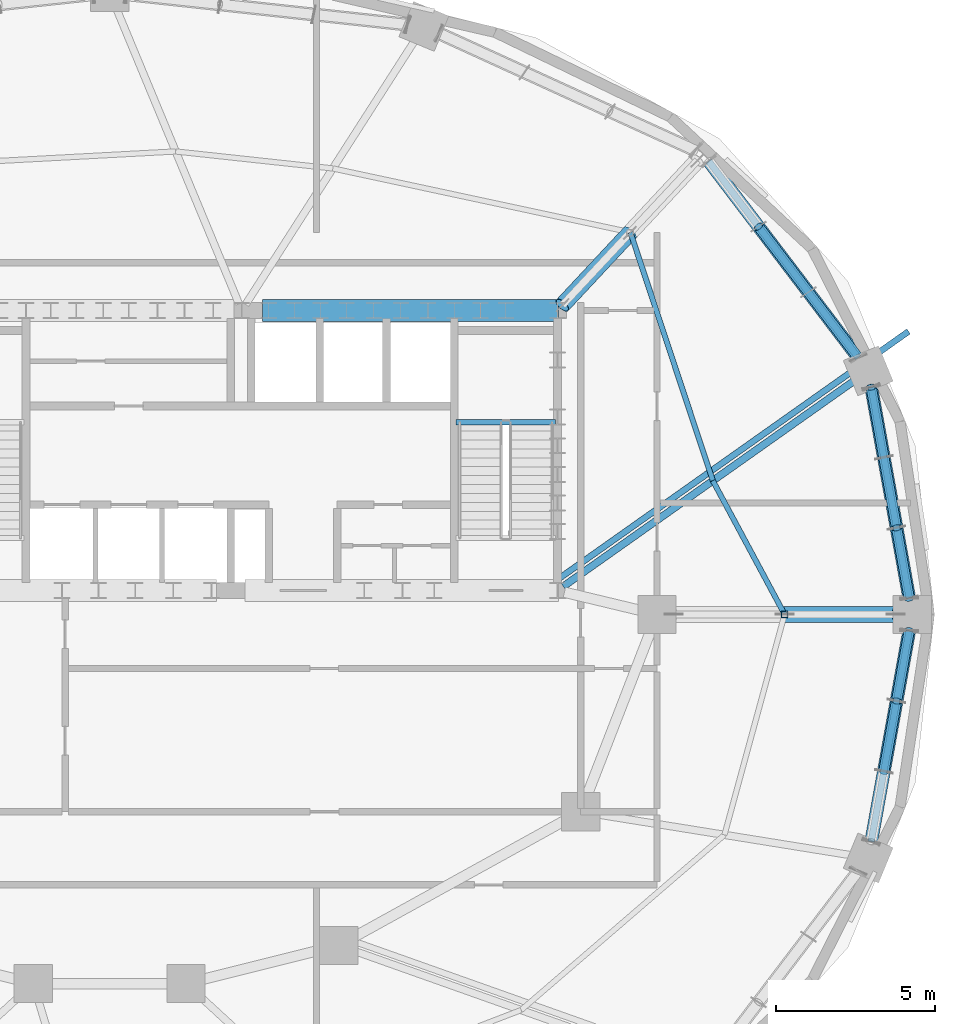
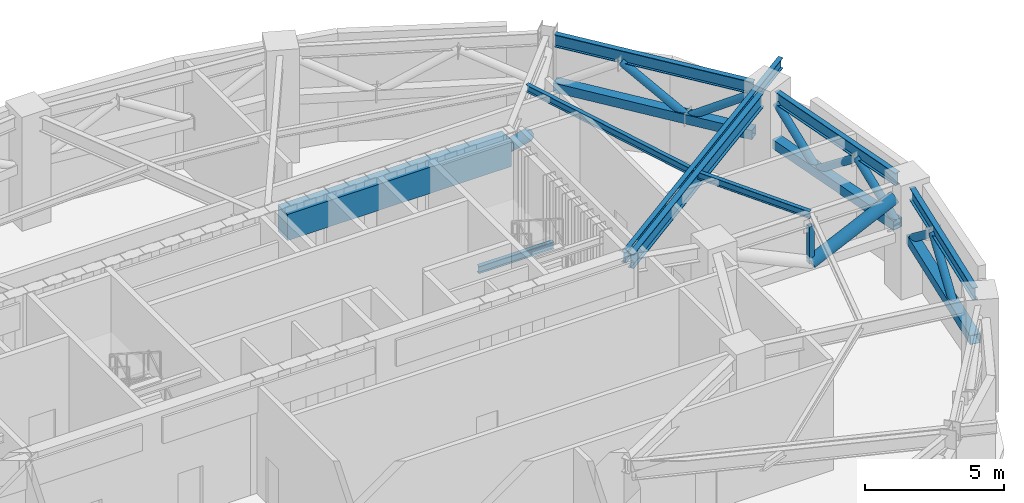
# One storey, part 4 of 17: 13 members, 9 beams.
"""IFC4 building model written with IfcOpenShell, lengths in metres."""

from ifc_helpers import new_model, si_unit, direction, frame, origin, origin_2d, place, context, subcontext, project, spatial, rectangle, hollow_rectangle, hollow_circle, i_section, extrude, material, material_profile, profile_set, type_object, element, save


model = new_model("IFC4")

# Units and contexts
model_context = context("Model", 3, precision=1e-05, world=origin(), true_north=direction((0.0, 1.0)))
body_context = subcontext(model_context, "Body", "Model", "MODEL_VIEW")
ifc_project = project(units=[si_unit("LENGTHUNIT", "METRE"), si_unit("AREAUNIT", "SQUARE_METRE"), si_unit("VOLUMEUNIT", "CUBIC_METRE"), si_unit("PLANEANGLEUNIT", "RADIAN"), si_unit("MASSUNIT", "GRAM", prefix="KILO")], contexts=[model_context])

# Site, building, storey
site_placement = place(None, origin())
site = spatial("IfcSite", under=ifc_project, at=site_placement, CompositionType="ELEMENT")
building_placement = place(site_placement, origin())
building = spatial("IfcBuilding", under=site, at=building_placement, Name="Haldorwick Loom Tower", CompositionType="ELEMENT")
storey_placement = place(building_placement, frame((0.0, 0.0, 149.449951171875)))
storey = spatial("IfcBuildingStorey", under=building, at=storey_placement, Name="L40", CompositionType="ELEMENT", Elevation=149.449951171875)

# Beams
ifc_material_1 = material(Name="Steel CSA G40.21 350W", Category="steel")
ifc_material_profile_1 = material_profile(ifc_material_1, i_section(OverallWidth=0.193115234375, OverallDepth=0.466064453125, WebThickness=0.011474609375, FlangeThickness=0.01904296875, at=origin_2d()), Name="W460X97", Category="steel")
ifc_profile_set_1 = profile_set([ifc_material_profile_1], Name="Steel CSA G40.21 350W")
beam_type_1 = type_object("IfcBeamType", Name="STR-BM-BAL460", PredefinedType="BEAM", material=ifc_profile_set_1)
beam_1_placement = place(storey_placement, frame((50.092041015625, 27.1083984375, 4.527099609375), z_axis=(0.816570288691, 0.577246016554, 0.0), x_axis=(-0.577246016554, 0.816570288691, 0.0)))
element("IfcBeam", 1, at=beam_1_placement, inside=storey, type_object=beam_type_1, Name="L40 Continuous Back-Spanned Balcony Beam 4", PredefinedType="BEAM", context=body_context, shape_type="SweptSolid", body=[
    extrude(i_section(OverallWidth=0.193115234375, OverallDepth=0.466064453125, WebThickness=0.011474609375, FlangeThickness=0.01904296875, at=origin_2d()), origin(), (0.0, 0.0, 1.0), 13.485107421875),
])
ifc_material_2 = material(Name="Concrete C60 (60 MPa)", Category="concrete")
ifc_material_profile_2 = material_profile(ifc_material_2, rectangle(XDim=0.699951171875, YDim=1.14990234375, at=origin_2d()), Name="RC700X1150", Category="concrete")
ifc_profile_set_2 = profile_set([ifc_material_profile_2], Name="Concrete C60 (60 MPa)")
beam_type_2 = type_object("IfcBeamType", Name="STR-BM-CB1150", PredefinedType="LINTEL", material=ifc_profile_set_2)
beam_2_placement = place(storey_placement, frame((40.800048828125, 35.550048828125, 4.18505859375), z_axis=(1.0, 0.0, 0.0), x_axis=(0.0, 1.0, 0.0)))
element("IfcBeam", 2, at=beam_2_placement, inside=storey, type_object=beam_type_2, Name="L40 Core Coupling Beam CB-N3", PredefinedType="LINTEL", context=body_context, shape_type="SweptSolid", body=[
    extrude(rectangle(XDim=0.699951171875, YDim=1.14990234375, at=origin_2d()), origin(), (0.0, 0.0, 1.0), 9.300048828125),
])
ifc_material_profile_3 = material_profile(ifc_material_1, i_section(OverallWidth=0.166015625, OverallDepth=0.31298828125, WebThickness=0.006591796875, FlangeThickness=0.01123046875, at=origin_2d()), Name="W310X45", Category="steel")
ifc_profile_set_3 = profile_set([ifc_material_profile_3], Name="Steel CSA G40.21 350W")
beam_type_3 = type_object("IfcBeamType", Name="STR-BM-J310", PredefinedType="JOIST", material=ifc_profile_set_3)
beam_3_placement = place(storey_placement, frame((57.20849609375, 26.0, 4.603515625), z_axis=(-0.472930162238, 0.881099915813, 0.0), x_axis=(-0.881099915813, -0.472930162238, 0.0)))
element("IfcBeam", 3, at=beam_3_placement, inside=storey, type_object=beam_type_3, Name="L40 Mid-Bay Secondary Joist 1", PredefinedType="JOIST", context=body_context, shape_type="SweptSolid", body=[
    extrude(i_section(OverallWidth=0.166015625, OverallDepth=0.31298828125, WebThickness=0.006591796875, FlangeThickness=0.01123046875, at=origin_2d()), origin(), (0.0, 0.0, 1.0), 4.76904296875),
])
beam_4_placement = place(storey_placement, frame((54.953125, 30.201904296875, 4.603515625), z_axis=(-0.314980632705, 0.949098098734, 0.0), x_axis=(-0.949098098734, -0.314980632705, 0.0)))
element("IfcBeam", 4, at=beam_4_placement, inside=storey, type_object=beam_type_3, Name="L40 Mid-Bay Secondary Joist 2", PredefinedType="JOIST", context=body_context, shape_type="SweptSolid", body=[
    extrude(i_section(OverallWidth=0.166015625, OverallDepth=0.31298828125, WebThickness=0.006591796875, FlangeThickness=0.01123046875, at=origin_2d()), origin(), (0.0, 0.0, 1.0), 8.223876953125),
])
ifc_material_profile_4 = material_profile(ifc_material_1, i_section(OverallWidth=0.2119140625, OverallDepth=0.5439453125, WebThickness=0.01318359375, FlangeThickness=0.021240234375, at=origin_2d()), Name="W530X123", Category="steel")
ifc_profile_set_4 = profile_set([ifc_material_profile_4], Name="Steel CSA G40.21 350W")
beam_type_4 = type_object("IfcBeamType", Name="STR-BM-SP530", PredefinedType="SPANDREL", material=ifc_profile_set_4)
beam_5_placement = place(storey_placement, frame((61.124755859375, 26.51171875, 4.488037109375), z_axis=(-0.177558730702, 0.984110205796, 0.0), x_axis=(-0.984110205796, -0.177558730702, 0.0)))
element("IfcBeam", 5, at=beam_5_placement, inside=storey, type_object=beam_type_4, Name="L40 Perimeter Spandrel 1", PredefinedType="SPANDREL", context=body_context, shape_type="SweptSolid", body=[
    extrude(i_section(OverallWidth=0.2119140625, OverallDepth=0.5439453125, WebThickness=0.01318359375, FlangeThickness=0.021240234375, at=origin_2d()), origin(), (0.0, 0.0, 1.0), 6.737548828125),
])
beam_6_placement = place(storey_placement, frame((59.521240234375, 34.067626953125, 4.488037109375), z_axis=(-0.605421356486, 0.795905133236, 0.0), x_axis=(-0.795905133236, -0.605421356486, 0.0)))
element("IfcBeam", 6, at=beam_6_placement, inside=storey, type_object=beam_type_4, Name="L40 Perimeter Spandrel 2", PredefinedType="SPANDREL", context=body_context, shape_type="SweptSolid", body=[
    extrude(i_section(OverallWidth=0.2119140625, OverallDepth=0.5439453125, WebThickness=0.01318359375, FlangeThickness=0.021240234375, at=origin_2d()), origin(), (0.0, 0.0, 1.0), 7.761962890625),
])
beam_7_placement = place(storey_placement, frame((59.928466796875, 18.85791015625, 4.488037109375), z_axis=(0.177558730702, 0.984110205796, 0.0), x_axis=(-0.984110205796, 0.177558730702, 0.0)))
element("IfcBeam", 7, at=beam_7_placement, inside=storey, type_object=beam_type_4, Name="L40 Perimeter Spandrel 16", PredefinedType="SPANDREL", context=body_context, shape_type="SweptSolid", body=[
    extrude(i_section(OverallWidth=0.2119140625, OverallDepth=0.5439453125, WebThickness=0.01318359375, FlangeThickness=0.021240234375, at=origin_2d()), origin(), (0.0, 0.0, 1.0), 6.737548828125),
])
ifc_material_profile_5 = material_profile(ifc_material_1, i_section(OverallWidth=0.166015625, OverallDepth=0.31298828125, WebThickness=0.006591796875, FlangeThickness=0.01123046875, at=origin_2d()), Name="W310X45", Category="steel")
ifc_profile_set_5 = profile_set([ifc_material_profile_5], Name="Steel CSA G40.21 350W")
beam_type_5 = type_object("IfcBeamType", Name="STR-BM-STRM", PredefinedType="BEAM", material=ifc_profile_set_5)
beam_8_placement = place(storey_placement, frame((46.889892578125, 32.0400390625, 2.1435546875), z_axis=(1.0, 0.0, 0.0), x_axis=(0.0, 1.0, 0.0)))
element("IfcBeam", 8, at=beam_8_placement, inside=storey, type_object=beam_type_5, Name="L40 Stair ST-02 Half-Landing Trimmer 1", PredefinedType="BEAM", context=body_context, shape_type="SweptSolid", body=[
    extrude(i_section(OverallWidth=0.166015625, OverallDepth=0.31298828125, WebThickness=0.006591796875, FlangeThickness=0.01123046875, at=origin_2d()), origin(), (0.0, 0.0, 1.0), 3.1201171875),
])
ifc_material_profile_6 = material_profile(ifc_material_1, i_section(OverallWidth=0.22998046875, OverallDepth=0.616943359375, WebThickness=0.01318359375, FlangeThickness=0.022216796875, at=origin_2d()), Name="W610X140", Category="steel")
ifc_profile_set_6 = profile_set([ifc_material_profile_6], Name="Steel CSA G40.21 350W")
beam_type_6 = type_object("IfcBeamType", Name="STR-BM-W610B", PredefinedType="BEAM", material=ifc_profile_set_6)
beam_9_placement = place(storey_placement, frame((50.253662109375, 26.8798828125, 4.45166015625), z_axis=(0.816581567299, 0.577230061542, 0.0), x_axis=(-0.577230061542, 0.816581567299, 0.0)))
element("IfcBeam", 9, at=beam_9_placement, inside=storey, type_object=beam_type_6, Name="L40 Radial Floor Girder 2", PredefinedType="BEAM", context=body_context, shape_type="SweptSolid", body=[
    extrude(i_section(OverallWidth=0.22998046875, OverallDepth=0.616943359375, WebThickness=0.01318359375, FlangeThickness=0.022216796875, at=origin_2d()), origin(), (0.0, 0.0, 1.0), 11.215087890625),
])

# Members
ifc_material_profile_7 = material_profile(ifc_material_1, hollow_circle(Radius=0.161865234375, WallThickness=0.0126953125, at=origin_2d()), Name="HSS324X13", Category="steel")
ifc_profile_set_7 = profile_set([ifc_material_profile_7], Name="Steel CSA G40.21 350W")
member_type_1 = type_object("IfcMemberType", Name="STR-MEM-BR324C", PredefinedType="BRACE", material=ifc_profile_set_7)
for number, where, z_axis, x_axis, name in (
    (10, (61.124755859375, 26.51171875, 2.5), (-0.141147937043, 0.781928473751, 0.607177998453), (-0.98409525284, -0.177641586737, 0.0), "L40 Perimeter Belt Truss Web Diagonal 1-1"),
    (11, (60.725830078125, 28.7216796875, 4.216064453125), (-0.14105374678, 0.781971567423, -0.607144388315), (-0.984117679003, -0.177517305845, 0.0), "L40 Perimeter Belt Truss Web Diagonal 1-2"),
    (12, (60.3271484375, 30.931884765625, 2.5), (-0.14105374678, 0.781971567423, 0.607144388315), (-0.984117679003, -0.177517305845, 0.0), "L40 Perimeter Belt Truss Web Diagonal 1-3"),
):
    element("IfcMember", number, at=place(storey_placement, frame(where, z_axis=z_axis, x_axis=x_axis)), inside=storey, type_object=member_type_1, Name=name, PredefinedType="BRACE", context=body_context, shape_type="SweptSolid", body=[
        extrude(hollow_circle(Radius=0.161865234375, WallThickness=0.0126953125, at=origin_2d()), origin(), (0.0, 0.0, 1.0), 2.826416015625),
    ])
member_1_placement = place(storey_placement, frame((59.521240234375, 34.067626953125, 4.216064453125), z_axis=(-0.504549330271, 0.663243306033, -0.552755181184), x_axis=(-0.795882073718, -0.605451670023, 0.0)))
element("IfcMember", 13, at=member_1_placement, inside=storey, type_object=member_type_1, Name="L40 Perimeter Belt Truss Web Diagonal 2-1", PredefinedType="BRACE", context=body_context, shape_type="SweptSolid", body=[
    extrude(hollow_circle(Radius=0.161865234375, WallThickness=0.0126953125, at=origin_2d()), origin(), (0.0, 0.0, 1.0), 3.1044921875),
])
member_2_placement = place(storey_placement, frame((57.954833984375, 36.126708984375, 2.5), z_axis=(-0.504523015018, 0.663287349076, 0.552726351708), x_axis=(-0.795916661695, -0.605406200526, 0.0)))
element("IfcMember", 14, at=member_2_placement, inside=storey, type_object=member_type_1, Name="L40 Perimeter Belt Truss Web Diagonal 2-2", PredefinedType="BRACE", context=body_context, shape_type="SweptSolid", body=[
    extrude(hollow_circle(Radius=0.161865234375, WallThickness=0.0126953125, at=origin_2d()), origin(), (0.0, 0.0, 1.0), 3.104736328125),
])
for number, where, z_axis, x_axis, name in (
    (15, (60.3271484375, 21.068115234375, 2.5), (0.14105374678, 0.781971567423, 0.607144388315), (-0.984117679003, 0.177517305845, 0.0), "L40 Perimeter Belt Truss Web Diagonal 16-2"),
    (16, (60.725830078125, 23.2783203125, 4.216064453125), (0.141147937043, 0.781928473751, -0.607177998453), (-0.98409525284, 0.177641586737, 0.0), "L40 Perimeter Belt Truss Web Diagonal 16-3"),
):
    element("IfcMember", number, at=place(storey_placement, frame(where, z_axis=z_axis, x_axis=x_axis)), inside=storey, type_object=member_type_1, Name=name, PredefinedType="BRACE", context=body_context, shape_type="SweptSolid", body=[
        extrude(hollow_circle(Radius=0.161865234375, WallThickness=0.0126953125, at=origin_2d()), origin(), (0.0, 0.0, 1.0), 2.826416015625),
    ])
ifc_material_profile_8 = material_profile(ifc_material_1, hollow_circle(Radius=0.25390625, WallThickness=0.015869140625, at=origin_2d()), Name="HSS508X16", Category="steel")
ifc_profile_set_8 = profile_set([ifc_material_profile_8], Name="Steel CSA G40.21 350W")
member_type_2 = type_object("IfcMemberType", Name="STR-MEM-BR508", PredefinedType="BRACE", material=ifc_profile_set_8)
member_3_placement = place(storey_placement, frame((57.20849609375, 26.0, 2.5), z_axis=(0.904678037241, 0.0, 0.426095821305), x_axis=(0.0, 1.0, 0.0)))
element("IfcMember", 17, at=member_3_placement, inside=storey, type_object=member_type_2, Name="L40 Outrigger OT-E Outer Diagonal", PredefinedType="BRACE", context=body_context, shape_type="SweptSolid", body=[
    extrude(hollow_circle(Radius=0.25390625, WallThickness=0.015869140625, at=origin_2d()), origin(), (0.0, 0.0, 1.0), 3.856201171875),
])
member_4_placement = place(storey_placement, frame((50.223388671875, 35.714599609375, 4.14306640625), z_axis=(0.603287374409, 0.646453686026, -0.467056715723), x_axis=(-0.731094416683, 0.682276303191, 0.0)))
element("IfcMember", 18, at=member_4_placement, inside=storey, type_object=member_type_2, Name="L40 Outrigger OT-NE Inner Diagonal", PredefinedType="BRACE", context=body_context, shape_type="SweptSolid", body=[
    extrude(hollow_circle(Radius=0.25390625, WallThickness=0.015869140625, at=origin_2d()), origin(), (0.0, 0.0, 1.0), 3.517822265625),
])
ifc_material_profile_9 = material_profile(ifc_material_1, hollow_rectangle(XDim=0.406494140625, YDim=0.406494140625, WallThickness=0.015869140625, at=origin_2d()), Name="HSS406X406X16", Category="steel")
ifc_profile_set_9 = profile_set([ifc_material_profile_9], Name="Steel CSA G40.21 350W")
member_type_3 = type_object("IfcMemberType", Name="STR-MEM-CH406", PredefinedType="CHORD", material=ifc_profile_set_9)
member_5_placement = place(storey_placement, frame((61.124755859375, 26.51171875, 2.5), z_axis=(-0.177558730702, 0.984110205796, 0.0), x_axis=(-0.984110205796, -0.177558730702, 0.0)))
element("IfcMember", 19, at=member_5_placement, inside=storey, type_object=member_type_3, Name="L40 Perimeter Belt Truss Bottom Chord 1", PredefinedType="CHORD", context=body_context, shape_type="SweptSolid", body=[
    extrude(hollow_rectangle(XDim=0.406494140625, YDim=0.406494140625, WallThickness=0.015869140625, at=origin_2d()), origin(), (0.0, 0.0, 1.0), 6.737548828125),
])
member_6_placement = place(storey_placement, frame((59.521240234375, 34.067626953125, 2.5), z_axis=(-0.605421356486, 0.795905133236, 0.0), x_axis=(-0.795905133236, -0.605421356486, 0.0)))
element("IfcMember", 20, at=member_6_placement, inside=storey, type_object=member_type_3, Name="L40 Perimeter Belt Truss Bottom Chord 2", PredefinedType="CHORD", context=body_context, shape_type="SweptSolid", body=[
    extrude(hollow_rectangle(XDim=0.406494140625, YDim=0.406494140625, WallThickness=0.015869140625, at=origin_2d()), origin(), (0.0, 0.0, 1.0), 7.761962890625),
])
member_7_placement = place(storey_placement, frame((59.928466796875, 18.85791015625, 2.5), z_axis=(0.177558730702, 0.984110205796, 0.0), x_axis=(-0.984110205796, 0.177558730702, 0.0)))
element("IfcMember", 21, at=member_7_placement, inside=storey, type_object=member_type_3, Name="L40 Perimeter Belt Truss Bottom Chord 16", PredefinedType="CHORD", context=body_context, shape_type="SweptSolid", body=[
    extrude(hollow_rectangle(XDim=0.406494140625, YDim=0.406494140625, WallThickness=0.015869140625, at=origin_2d()), origin(), (0.0, 0.0, 1.0), 6.737548828125),
])
ifc_material_profile_10 = material_profile(ifc_material_1, hollow_rectangle(XDim=0.203125, YDim=0.203125, WallThickness=0.009521484375, at=origin_2d()), Name="HSS203X203X10", Category="steel")
ifc_profile_set_10 = profile_set([ifc_material_profile_10], Name="Steel CSA G40.21 350W")
member_type_4 = type_object("IfcMemberType", Name="STR-MEM-ST203", PredefinedType="STRUT", material=ifc_profile_set_10)
member_8_placement = place(storey_placement, frame((57.20849609375, 26.0, 2.5), z_axis=(0.0, 0.0, 1.0), x_axis=(1.0, 0.0, 0.0)))
element("IfcMember", 22, at=member_8_placement, inside=storey, type_object=member_type_4, Name="L40 Outrigger OT-E Mid Post", PredefinedType="STRUT", context=body_context, shape_type="SweptSolid", body=[
    extrude(hollow_rectangle(XDim=0.203125, YDim=0.203125, WallThickness=0.009521484375, at=origin_2d()), origin(), (0.0, 0.0, 1.0), 1.64306640625),
])

save(model, "model.ifc")
